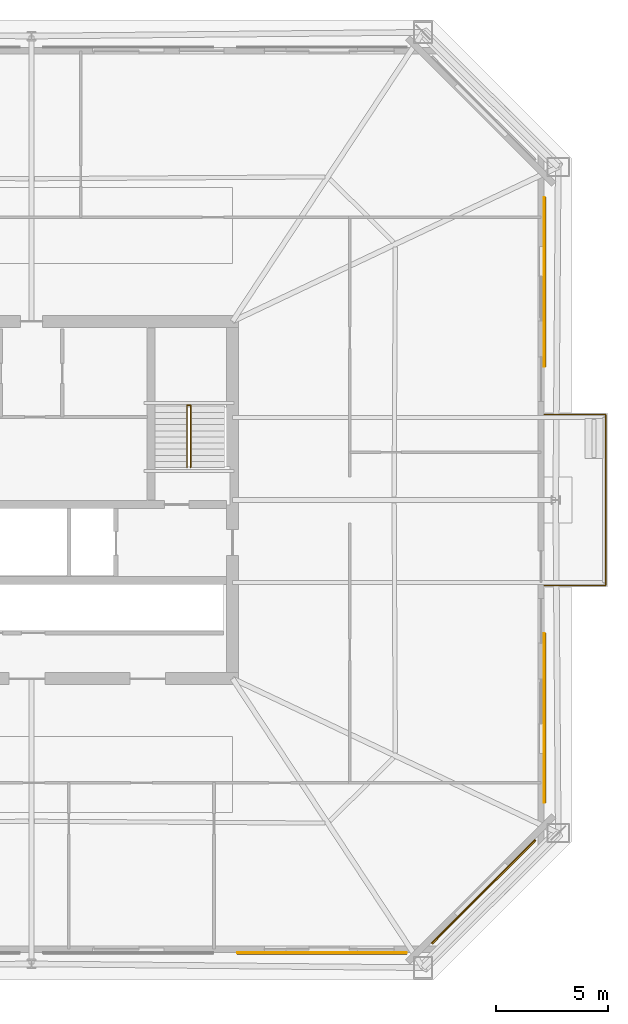
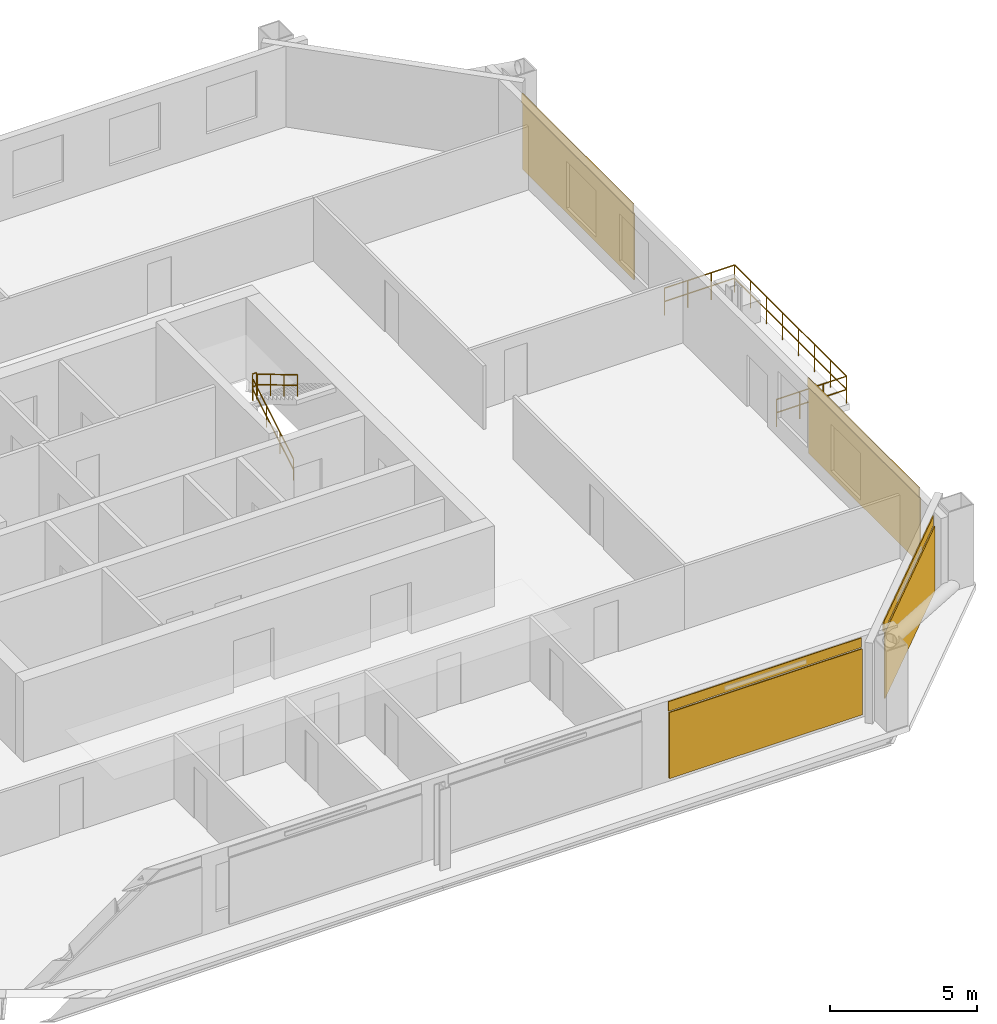
# One storey, part 7 of 8: 4 coverings, 4 railings, 4 shading devices.
"""IFC4 building model written with IfcOpenShell, lengths in metres."""

from ifc_helpers import new_model, si_unit, direction, frame, origin, origin_2d, place, context, subcontext, project, spatial, rectangle, circle, extrude, material, layer, layer_set, type_object, element, save


model = new_model("IFC4")

# Units and contexts
model_context = context("Model", 3, precision=1e-05, world=origin(), true_north=direction((0.0, 1.0)))
body_context = subcontext(model_context, "Body", "Model", "MODEL_VIEW")
ifc_project = project(units=[si_unit("LENGTHUNIT", "METRE"), si_unit("AREAUNIT", "SQUARE_METRE"), si_unit("VOLUMEUNIT", "CUBIC_METRE"), si_unit("PLANEANGLEUNIT", "RADIAN"), si_unit("MASSUNIT", "GRAM", prefix="KILO")], contexts=[model_context])

# Site, building, storey
site_placement = place(None, origin())
site = spatial("IfcSite", under=ifc_project, at=site_placement, CompositionType="ELEMENT")
building_placement = place(site_placement, origin())
building = spatial("IfcBuilding", under=site, at=building_placement, Name="Caelvoria Tower", CompositionType="ELEMENT")
storey_placement = place(building_placement, frame((0.0, 0.0, 142.0)))
storey = spatial("IfcBuildingStorey", under=building, at=storey_placement, Name="L37", CompositionType="ELEMENT", Elevation=142.0)

# Railing
ifc_material_1 = material(Name="Bronze Anodised Aluminium and Stainless Steel", Category="steel")
railing_type_1 = type_object("IfcRailingType", Name="Exterior Terrace and Balcony Guardrail 1150", PredefinedType="GUARDRAIL", material=ifc_material_1)
railing_1_placement = place(storey_placement, frame((68.9599609375, 28.179931640625, 0.0)))
element("IfcRailing", 1, at=railing_1_placement, inside=storey, type_object=railing_type_1, Name="Tree Balcony Guardrail TB-L37-E", PredefinedType="GUARDRAIL", context=body_context, shape_type="SweptSolid", body=[
    extrude(circle(Radius=0.02392578125, at=origin_2d()), frame((0.0, 0.0, 1.1259765625), z_axis=(1.0, 0.0, 0.0), x_axis=(0.0, 1.0, 0.0)), (0.0, 0.0, 1.0), 2.760009765625),
    extrude(circle(Radius=0.02392578125, at=origin_2d()), frame((0.0, 0.0, 0.574951171875), z_axis=(1.0, 0.0, 0.0), x_axis=(0.0, 1.0, 0.0)), (0.0, 0.0, 1.0), 2.760009765625),
    extrude(circle(Radius=0.02392578125, at=origin_2d()), frame((2.760009765625, 0.0, 1.1259765625), z_axis=(0.0, 1.0, 0.0), x_axis=(-1.0, 0.0, 0.0)), (0.0, 0.0, 1.0), 7.64013671875),
    extrude(circle(Radius=0.02392578125, at=origin_2d()), frame((2.760009765625, 0.0, 0.574951171875), z_axis=(0.0, 1.0, 0.0), x_axis=(-1.0, 0.0, 0.0)), (0.0, 0.0, 1.0), 7.64013671875),
    extrude(circle(Radius=0.02392578125, at=origin_2d()), frame((2.760009765625, 7.64013671875, 1.1259765625), z_axis=(-1.0, 0.0, 0.0), x_axis=(0.0, -1.0, 0.0)), (0.0, 0.0, 1.0), 2.760009765625),
    extrude(circle(Radius=0.02392578125, at=origin_2d()), frame((2.760009765625, 7.64013671875, 0.574951171875), z_axis=(-1.0, 0.0, 0.0), x_axis=(0.0, -1.0, 0.0)), (0.0, 0.0, 1.0), 2.760009765625),
    extrude(circle(Radius=0.02099609375, at=origin_2d()), origin(), (0.0, 0.0, 1.0), 1.101806640625),
    extrude(circle(Radius=0.02099609375, at=origin_2d()), frame((0.919921875, 0.0, 0.0)), (0.0, 0.0, 1.0), 1.101806640625),
    extrude(circle(Radius=0.02099609375, at=origin_2d()), frame((1.840087890625, 0.0, 0.0)), (0.0, 0.0, 1.0), 1.101806640625),
    extrude(circle(Radius=0.02099609375, at=origin_2d()), frame((2.760009765625, 0.0, 0.0)), (0.0, 0.0, 1.0), 1.101806640625),
    extrude(circle(Radius=0.02099609375, at=origin_2d()), frame((2.760009765625, 1.091552734375, 0.0)), (0.0, 0.0, 1.0), 1.101806640625),
    extrude(circle(Radius=0.02099609375, at=origin_2d()), frame((2.760009765625, 2.182861328125, 0.0)), (0.0, 0.0, 1.0), 1.101806640625),
    extrude(circle(Radius=0.02099609375, at=origin_2d()), frame((2.760009765625, 3.2744140625, 0.0)), (0.0, 0.0, 1.0), 1.101806640625),
    extrude(circle(Radius=0.02099609375, at=origin_2d()), frame((2.760009765625, 4.36572265625, 0.0)), (0.0, 0.0, 1.0), 1.101806640625),
    extrude(circle(Radius=0.02099609375, at=origin_2d()), frame((2.760009765625, 5.457275390625, 0.0)), (0.0, 0.0, 1.0), 1.101806640625),
    extrude(circle(Radius=0.02099609375, at=origin_2d()), frame((2.760009765625, 6.548583984375, 0.0)), (0.0, 0.0, 1.0), 1.101806640625),
    extrude(circle(Radius=0.02099609375, at=origin_2d()), frame((2.760009765625, 7.64013671875, 0.0)), (0.0, 0.0, 1.0), 1.101806640625),
    extrude(circle(Radius=0.02099609375, at=origin_2d()), frame((1.840087890625, 7.64013671875, 0.0)), (0.0, 0.0, 1.0), 1.101806640625),
    extrude(circle(Radius=0.02099609375, at=origin_2d()), frame((0.919921875, 7.64013671875, 0.0)), (0.0, 0.0, 1.0), 1.101806640625),
    extrude(circle(Radius=0.02099609375, at=origin_2d()), frame((0.0, 7.64013671875, 0.0)), (0.0, 0.0, 1.0), 1.101806640625),
])

# Coverings
ifc_material_2 = material(Name="Perforated Architectural Bronze Cladding Screen", Category="bronze")
ifc_layer_1 = layer(ifc_material_2, 0.0400390625, Name="Perforated Architectural Bronze Cladding Screen")
ifc_layer_set_1 = layer_set([ifc_layer_1], Name="Perforated Bronze Louvre Cladding Band 40 - Perforated Architectural Bronze Cladding Screen")
covering_type = type_object("IfcCoveringType", Name="Perforated Bronze Louvre Cladding Band 40", PredefinedType="CLADDING", material=ifc_layer_set_1)
covering_1_placement = place(storey_placement, frame((59.0048828125, 11.72802734375, 2.93994140625), z_axis=(0.0, 0.0, 1.0), x_axis=(1.0, 0.0, 0.0)))
element("IfcCovering", 2, at=covering_1_placement, inside=storey, type_object=covering_type, Name="Perforated Bronze Screen Band L37-E0-03", PredefinedType="CLADDING", context=body_context, shape_type="SweptSolid", body=[
    extrude(rectangle(XDim=7.60009765625, YDim=0.0400390625, at=origin_2d()), origin(), (0.0, 0.0, 1.0), 0.39990234375),
])
covering_2_placement = place(storey_placement, frame((66.231689453125, 14.46826171875, 2.93994140625), z_axis=(0.0, 0.0, 1.0), x_axis=(0.707106781187, 0.707106781187, 0.0)))
element("IfcCovering", 3, at=covering_2_placement, inside=storey, type_object=covering_type, Name="Perforated Bronze Screen Band L37-E1-00", PredefinedType="CLADDING", context=body_context, shape_type="SweptSolid", body=[
    extrude(rectangle(XDim=6.55419921875, YDim=0.0400390625, at=origin_2d()), origin(), (0.0, 0.0, 1.0), 0.39990234375),
])
for number, where, z_axis, x_axis, name in (
    (4, (68.971923828125, 22.239990234375, 2.93994140625), (0.0, 0.0, 1.0), (0.0, 1.0, 0.0), "Perforated Bronze Screen Band L37-E2-00"),
    (5, (68.971923828125, 41.760009765625, 2.93994140625), (0.0, 0.0, 1.0), (0.0, 1.0, 0.0), "Perforated Bronze Screen Band L37-E2-02"),
):
    element("IfcCovering", number, at=place(storey_placement, frame(where, z_axis=z_axis, x_axis=x_axis)), inside=storey, type_object=covering_type, Name=name, PredefinedType="CLADDING", context=body_context, shape_type="SweptSolid", body=[
        extrude(rectangle(XDim=7.60009765625, YDim=0.0400390625, at=origin_2d()), origin(), (0.0, 0.0, 1.0), 0.39990234375),
    ])

# Shading devices
ifc_material_3 = material(Name="Perforated Architectural Bronze Alloy Panel", Category="bronze")
ifc_layer_2 = layer(ifc_material_3, 0.044921875, Name="Perforated Architectural Bronze Alloy Panel")
ifc_layer_set_2 = layer_set([ifc_layer_2], Name="Perforated Bronze Solar Screen Panel SCREEN - Perforated Architectural Bronze Alloy Panel")
shading_device_type = type_object("IfcShadingDeviceType", Name="Perforated Bronze Solar Screen Panel SCREEN", PredefinedType="USERDEFINED", material=ifc_layer_set_2)
shading_device_1_placement = place(storey_placement, frame((59.0048828125, 11.68505859375, 0.159912109375), z_axis=(0.0, 0.0, 1.0), x_axis=(1.0, 0.0, 0.0)))
element("IfcShadingDevice", 6, at=shading_device_1_placement, inside=storey, type_object=shading_device_type, Name="Perforated Bronze Solar Screen L37-E0-03", ObjectType="SCREEN", PredefinedType="USERDEFINED", context=body_context, shape_type="SweptSolid", body=[
    extrude(rectangle(XDim=7.60009765625, YDim=0.044921875, at=origin_2d()), origin(), (0.0, 0.0, 1.0), 2.75),
])
shading_device_2_placement = place(storey_placement, frame((66.26220703125, 14.43798828125, 0.159912109375), z_axis=(0.0, 0.0, 1.0), x_axis=(0.707106781187, 0.707106781187, 0.0)))
element("IfcShadingDevice", 7, at=shading_device_2_placement, inside=storey, type_object=shading_device_type, Name="Perforated Bronze Solar Screen L37-E1-00", ObjectType="SCREEN", PredefinedType="USERDEFINED", context=body_context, shape_type="SweptSolid", body=[
    extrude(rectangle(XDim=6.55419921875, YDim=0.044921875, at=origin_2d()), origin(), (0.0, 0.0, 1.0), 2.75),
])
for number, where, z_axis, x_axis, name in (
    (8, (69.014892578125, 22.239990234375, 0.159912109375), (0.0, 0.0, 1.0), (0.0, 1.0, 0.0), "Perforated Bronze Solar Screen L37-E2-00"),
    (9, (69.014892578125, 41.760009765625, 0.159912109375), (0.0, 0.0, 1.0), (0.0, 1.0, 0.0), "Perforated Bronze Solar Screen L37-E2-02"),
):
    element("IfcShadingDevice", number, at=place(storey_placement, frame(where, z_axis=z_axis, x_axis=x_axis)), inside=storey, type_object=shading_device_type, Name=name, ObjectType="SCREEN", PredefinedType="USERDEFINED", context=body_context, shape_type="SweptSolid", body=[
        extrude(rectangle(XDim=7.60009765625, YDim=0.044921875, at=origin_2d()), origin(), (0.0, 0.0, 1.0), 2.75),
    ])

# Railings
ifc_material_4 = material(Name="Brushed Stainless Steel Tube", Category="steel")
railing_type_2 = type_object("IfcRailingType", Name="Stair Tubular Stainless Handrail 920", PredefinedType="HANDRAIL", material=ifc_material_4)
railing_2_placement = place(storey_placement, frame((52.969970703125, 33.449951171875, 0.16357421875)))
element("IfcRailing", 10, at=railing_2_placement, inside=storey, type_object=railing_type_2, Name="ST-02 Flight 1 Handrail L37", PredefinedType="HANDRAIL", context=body_context, shape_type="SweptSolid", body=[
    extrude(circle(Radius=0.02392578125, at=origin_2d()), frame((0.0, 0.0, 0.89599609375), z_axis=(0.0, 0.859351957796, 0.511384603436), x_axis=(-1.0, 0.0, 0.0)), (0.0, 0.0, 1.0), 3.2001953125),
    extrude(circle(Radius=0.02392578125, at=origin_2d()), frame((0.0, 0.0, 0.4599609375), z_axis=(0.0, 0.859351957796, 0.511384603436), x_axis=(-1.0, 0.0, 0.0)), (0.0, 0.0, 1.0), 3.2001953125),
    extrude(circle(Radius=0.02099609375, at=origin_2d()), origin(), (0.0, 0.0, 1.0), 0.871826171875),
    extrude(circle(Radius=0.02099609375, at=origin_2d()), frame((0.0, 0.916748046875, 0.54541015625)), (0.0, 0.0, 1.0), 0.871826171875),
    extrude(circle(Radius=0.02099609375, at=origin_2d()), frame((0.0, 1.833251953125, 1.091064453125)), (0.0, 0.0, 1.0), 0.871826171875),
    extrude(circle(Radius=0.02099609375, at=origin_2d()), frame((0.0, 2.75, 1.636474609375)), (0.0, 0.0, 1.0), 0.871826171875),
])
railing_3_placement = place(storey_placement, frame((53.1298828125, 36.199951171875, 1.963623046875)))
element("IfcRailing", 11, at=railing_3_placement, inside=storey, type_object=railing_type_2, Name="ST-02 Flight 2 Handrail L37", PredefinedType="HANDRAIL", context=body_context, shape_type="SweptSolid", body=[
    extrude(circle(Radius=0.02392578125, at=origin_2d()), frame((0.0, 0.0, 0.89599609375), z_axis=(0.0, -0.859351957796, 0.511384603436), x_axis=(1.0, 0.0, 0.0)), (0.0, 0.0, 1.0), 3.2001953125),
    extrude(circle(Radius=0.02392578125, at=origin_2d()), frame((0.0, 0.0, 0.4599609375), z_axis=(0.0, -0.859351957796, 0.511384603436), x_axis=(1.0, 0.0, 0.0)), (0.0, 0.0, 1.0), 3.2001953125),
    extrude(circle(Radius=0.02099609375, at=origin_2d()), origin(), (0.0, 0.0, 1.0), 0.871826171875),
    extrude(circle(Radius=0.02099609375, at=origin_2d()), frame((0.0, -0.916748046875, 0.54541015625)), (0.0, 0.0, 1.0), 0.871826171875),
    extrude(circle(Radius=0.02099609375, at=origin_2d()), frame((0.0, -1.833251953125, 1.091064453125)), (0.0, 0.0, 1.0), 0.871826171875),
    extrude(circle(Radius=0.02099609375, at=origin_2d()), frame((0.0, -2.75, 1.636474609375)), (0.0, 0.0, 1.0), 0.871826171875),
])
ifc_material_5 = material(Name="Brushed Stainless Steel Guardrail", Category="steel")
railing_type_3 = type_object("IfcRailingType", Name="Stair Well and Ramp Guardrail 1120", PredefinedType="GUARDRAIL", material=ifc_material_5)
railing_4_placement = place(storey_placement, frame((52.969970703125, 36.239990234375, 1.800048828125)))
element("IfcRailing", 12, at=railing_4_placement, inside=storey, type_object=railing_type_3, Name="ST-02 Half-Landing Well Guard L37", PredefinedType="GUARDRAIL", context=body_context, shape_type="SweptSolid", body=[
    extrude(circle(Radius=0.02392578125, at=origin_2d()), frame((0.0, 0.0, 1.09619140625), z_axis=(1.0, 0.0, 0.0), x_axis=(0.0, 1.0, 0.0)), (0.0, 0.0, 1.0), 0.159912109375),
    extrude(circle(Radius=0.02392578125, at=origin_2d()), frame((0.0, 0.0, 0.56005859375), z_axis=(1.0, 0.0, 0.0), x_axis=(0.0, 1.0, 0.0)), (0.0, 0.0, 1.0), 0.159912109375),
    extrude(circle(Radius=0.02099609375, at=origin_2d()), origin(), (0.0, 0.0, 1.0), 1.072021484375),
    extrude(circle(Radius=0.02099609375, at=origin_2d()), frame((0.159912109375, 0.0, 0.0)), (0.0, 0.0, 1.0), 1.072021484375),
])

save(model, "model.ifc")
